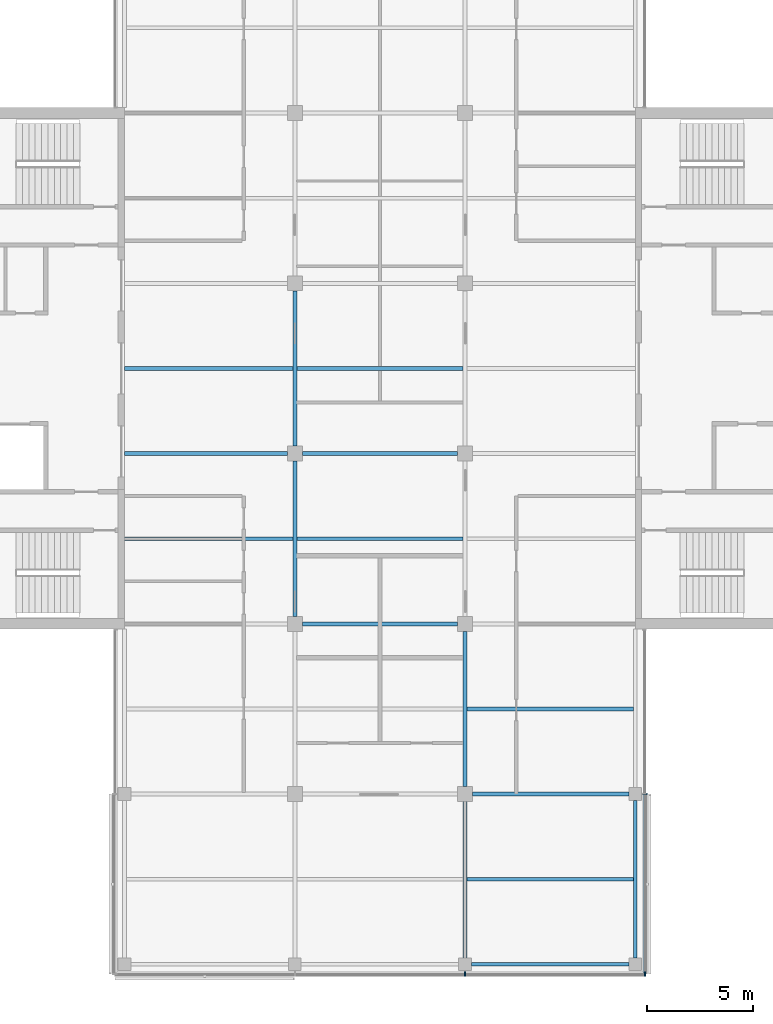
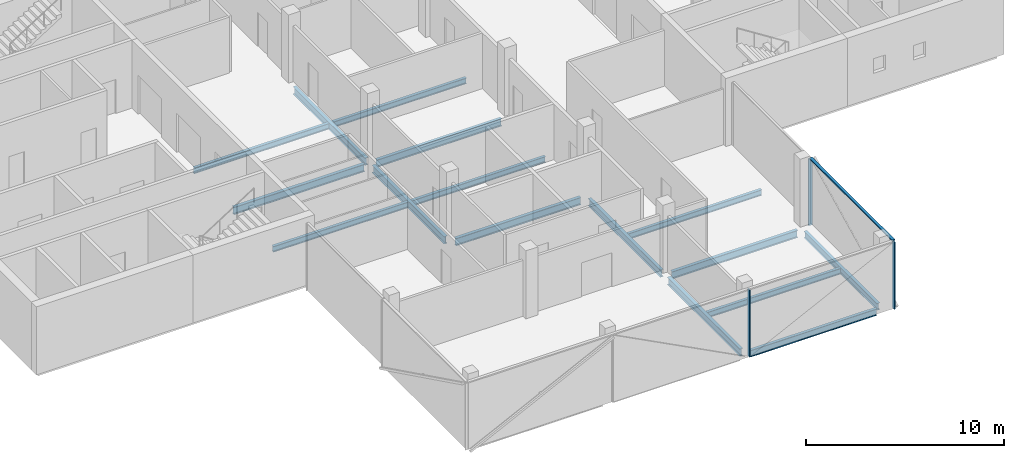
# One storey, part 3 of 16: 16 beams, 4 members, 2 elements without a shape of their own.
"""IFC4 building model written with IfcOpenShell, lengths in metres."""

from ifc_helpers import new_model, si_unit, direction, frame, origin, origin_2d, place, context, subcontext, project, spatial, rectangle, i_section, extrude, material, material_profile, profile_set, type_object, element, aggregate, save


model = new_model("IFC4")

# Units and contexts
model_context = context("Model", 3, precision=1e-05, world=origin(), true_north=direction((0.0, 1.0)))
body_context = subcontext(model_context, "Body", "Model", "MODEL_VIEW")
ifc_project = project(units=[si_unit("LENGTHUNIT", "METRE"), si_unit("AREAUNIT", "SQUARE_METRE"), si_unit("VOLUMEUNIT", "CUBIC_METRE"), si_unit("PLANEANGLEUNIT", "RADIAN"), si_unit("MASSUNIT", "GRAM", prefix="KILO")], contexts=[model_context])

# Site, building, storey
site_placement = place(None, origin())
site = spatial("IfcSite", under=ifc_project, at=site_placement, CompositionType="ELEMENT")
building_placement = place(site_placement, origin())
building = spatial("IfcBuilding", under=site, at=building_placement, Name="Crosswind Convention Tower", CompositionType="ELEMENT")
storey_placement = place(building_placement, frame((0.0, 0.0, 274.5)))
storey = spatial("IfcBuildingStorey", under=building, at=storey_placement, Name="L59", CompositionType="ELEMENT", Elevation=274.5)

# Beams
ifc_material_1 = material(Name="Steel S355", Category="steel")
ifc_material_profile_1 = material_profile(ifc_material_1, i_section(OverallWidth=0.177734375, OverallDepth=0.406494140625, WebThickness=0.0078125, FlangeThickness=0.0126953125, FilletRadius=0.01025390625, at=origin_2d()), Name="UB 406x178x60")
ifc_profile_set_1 = profile_set([ifc_material_profile_1], Name="Steel S355")
beam_type_1 = type_object("IfcBeamType", Name="Edge beam UB 406x178x60", PredefinedType="SPANDREL", material=ifc_profile_set_1)
for number, where, z_axis, x_axis, name in (
    (1, (129.300048828125, 72.0, -0.503173828125), (1.0, 0.0, 0.0), (0.0, 1.0, 0.0), "B15 L59 edge beam 9"),
    (2, (137.0, 72.300048828125, -0.503173828125), (0.0, 1.0, 0.0), (-1.0, 0.0, 0.0), "B15 L59 edge beam 11"),
):
    element("IfcBeam", number, at=place(storey_placement, frame(where, z_axis=z_axis, x_axis=x_axis)), inside=storey, type_object=beam_type_1, Name=name, PredefinedType="SPANDREL", context=body_context, shape_type="SweptSolid", body=[
        extrude(i_section(OverallWidth=0.177734375, OverallDepth=0.406494140625, WebThickness=0.0078125, FlangeThickness=0.0126953125, FilletRadius=0.01025390625, at=origin_2d()), origin(), (0.0, 0.0, 1.0), 7.39990234375),
    ])
ifc_material_profile_2 = material_profile(ifc_material_1, i_section(OverallWidth=0.18994140625, OverallDepth=0.45361328125, WebThickness=0.008544921875, FlangeThickness=0.0126953125, FilletRadius=0.01025390625, at=origin_2d()), Name="UB 457x191x67")
ifc_profile_set_2 = profile_set([ifc_material_profile_2], Name="Steel S355")
beam_type_2 = type_object("IfcBeamType", Name="Girder UB 457x191x67", PredefinedType="BEAM", material=ifc_profile_set_2)
for number, where, z_axis, x_axis, name in (
    (3, (121.0, 88.35009765625, -0.52685546875), (0.0, 1.0, 0.0), (-1.0, 0.0, 0.0), "B1 L59 girder 5"),
    (4, (121.0, 96.35009765625, -0.52685546875), (0.0, 1.0, 0.0), (-1.0, 0.0, 0.0), "B1 L59 girder 6"),
    (5, (121.35009765625, 88.0, -0.52685546875), (1.0, 0.0, 0.0), (0.0, 1.0, 0.0), "B1 L59 girder 11"),
    (6, (121.35009765625, 96.0, -0.52685546875), (1.0, 0.0, 0.0), (0.0, 1.0, 0.0), "B1 L59 girder 12"),
):
    element("IfcBeam", number, at=place(storey_placement, frame(where, z_axis=z_axis, x_axis=x_axis)), inside=storey, type_object=beam_type_2, Name=name, PredefinedType="BEAM", context=body_context, shape_type="SweptSolid", body=[
        extrude(i_section(OverallWidth=0.18994140625, OverallDepth=0.45361328125, WebThickness=0.008544921875, FlangeThickness=0.0126953125, FilletRadius=0.01025390625, at=origin_2d()), origin(), (0.0, 0.0, 1.0), 7.2998046875),
    ])
beam_1_placement = place(storey_placement, frame((129.0, 72.300048828125, -0.52685546875), z_axis=(0.0, 1.0, 0.0), x_axis=(-1.0, 0.0, 0.0)))
element("IfcBeam", 7, at=beam_1_placement, inside=storey, type_object=beam_type_2, Name="B1 L59 girder 16", PredefinedType="BEAM", context=body_context, shape_type="SweptSolid", body=[
    extrude(i_section(OverallWidth=0.18994140625, OverallDepth=0.45361328125, WebThickness=0.008544921875, FlangeThickness=0.0126953125, FilletRadius=0.01025390625, at=origin_2d()), origin(), (0.0, 0.0, 1.0), 7.349853515625),
])
beam_2_placement = place(storey_placement, frame((129.0, 80.35009765625, -0.52685546875), z_axis=(0.0, 1.0, 0.0), x_axis=(-1.0, 0.0, 0.0)))
element("IfcBeam", 8, at=beam_2_placement, inside=storey, type_object=beam_type_2, Name="B1 L59 girder 17", PredefinedType="BEAM", context=body_context, shape_type="SweptSolid", body=[
    extrude(i_section(OverallWidth=0.18994140625, OverallDepth=0.45361328125, WebThickness=0.008544921875, FlangeThickness=0.0126953125, FilletRadius=0.01025390625, at=origin_2d()), origin(), (0.0, 0.0, 1.0), 7.2998046875),
])
beam_3_placement = place(storey_placement, frame((129.35009765625, 80.0, -0.52685546875), z_axis=(1.0, 0.0, 0.0), x_axis=(0.0, 1.0, 0.0)))
element("IfcBeam", 9, at=beam_3_placement, inside=storey, type_object=beam_type_2, Name="B1 L59 girder 23", PredefinedType="BEAM", context=body_context, shape_type="SweptSolid", body=[
    extrude(i_section(OverallWidth=0.18994140625, OverallDepth=0.45361328125, WebThickness=0.008544921875, FlangeThickness=0.0126953125, FilletRadius=0.01025390625, at=origin_2d()), origin(), (0.0, 0.0, 1.0), 7.349853515625),
])
ifc_material_profile_3 = material_profile(ifc_material_1, i_section(OverallWidth=0.1904296875, OverallDepth=0.457275390625, WebThickness=0.009033203125, FlangeThickness=0.014404296875, FilletRadius=0.01025390625, at=origin_2d()), Name="UB 457x191x75")
ifc_profile_set_3 = profile_set([ifc_material_profile_3], Name="Steel S355")
beam_type_3 = type_object("IfcBeamType", Name="Girder at core wall UB 457x191x75", PredefinedType="BEAM", material=ifc_profile_set_3)
beam_4_placement = place(storey_placement, frame((113.0, 96.0, -0.528564453125), z_axis=(1.0, 0.0, 0.0), x_axis=(0.0, 1.0, 0.0)))
element("IfcBeam", 10, at=beam_4_placement, inside=storey, type_object=beam_type_3, Name="B22 L59 girder at core wall 2", PredefinedType="BEAM", context=body_context, shape_type="SweptSolid", body=[
    extrude(i_section(OverallWidth=0.1904296875, OverallDepth=0.457275390625, WebThickness=0.009033203125, FlangeThickness=0.014404296875, FilletRadius=0.01025390625, at=origin_2d()), origin(), (0.0, 0.0, 1.0), 7.64990234375),
])

# Curtain wall, members
ifc_material_2 = material(Name="Aluminium unitised curtain wall", Category="aluminium")
curtain_wall_type = type_object("IfcCurtainWallType", Name="OFFICE UNITISED WALL 220", PredefinedType="USERDEFINED", material=ifc_material_2)
curtain_wall_1_placement = place(storey_placement, origin())
curtain_wall_1 = element("IfcCurtainWall", 11, at=curtain_wall_1_placement, inside=storey, type_object=curtain_wall_type, Name="CW3 L59 S-TIP 1", ObjectType="UNITISED", PredefinedType="USERDEFINED")
ifc_material_3 = material(Name="Aluminium mullion", Category="aluminium")
ifc_material_profile_4 = material_profile(ifc_material_3, rectangle(XDim=0.219970703125, YDim=0.070068359375, at=origin_2d()), Name="AL 220X70")
ifc_profile_set_4 = profile_set([ifc_material_profile_4], Name="Aluminium mullion")
member_type_1 = type_object("IfcMemberType", Name="MULLION 70X220", PredefinedType="MULLION", material=ifc_profile_set_4)
member_1_placement = place(storey_placement, frame((129.0, 71.5400390625, -0.300048828125), z_axis=(0.0, 0.0, 1.0), x_axis=(0.0, -1.0, 0.0)))
member_1 = element("IfcMember", 12, at=member_1_placement, type_object=member_type_1, Name="CW3 mullion 3", PredefinedType="MULLION", context=body_context, shape_type="SweptSolid", body=[
    extrude(rectangle(XDim=0.219970703125, YDim=0.070068359375, at=origin_2d()), origin(), (0.0, 0.0, 1.0), 4.130126953125),
])
member_2_placement = place(storey_placement, frame((137.4599609375, 71.5400390625, -0.300048828125), z_axis=(0.0, 0.0, 1.0), x_axis=(0.0, -1.0, 0.0)))
member_2 = element("IfcMember", 13, at=member_2_placement, type_object=member_type_1, Name="CW3 mullion 4", PredefinedType="MULLION", context=body_context, shape_type="SweptSolid", body=[
    extrude(rectangle(XDim=0.219970703125, YDim=0.070068359375, at=origin_2d()), origin(), (0.0, 0.0, 1.0), 4.130126953125),
])
aggregate(curtain_wall_1, [member_1, member_2])

# Curtain wall, member
curtain_wall_2_placement = place(storey_placement, origin())
curtain_wall_2 = element("IfcCurtainWall", 14, at=curtain_wall_2_placement, inside=storey, type_object=curtain_wall_type, Name="CW3 L59 S-E 1", ObjectType="UNITISED", PredefinedType="USERDEFINED")
member_3_placement = place(storey_placement, frame((137.4599609375, 80.0, -0.300048828125), z_axis=(0.0, 0.0, 1.0), x_axis=(1.0, 0.0, 0.0)))
member_3 = element("IfcMember", 15, at=member_3_placement, type_object=member_type_1, Name="CW3 mullion 2", PredefinedType="MULLION", context=body_context, shape_type="SweptSolid", body=[
    extrude(rectangle(XDim=0.219970703125, YDim=0.070068359375, at=origin_2d()), origin(), (0.0, 0.0, 1.0), 4.130126953125),
])

# Beams
ifc_material_profile_5 = material_profile(ifc_material_1, i_section(OverallWidth=0.17138671875, OverallDepth=0.355712890625, WebThickness=0.00732421875, FlangeThickness=0.011474609375, FilletRadius=0.01025390625, at=origin_2d()), Name="UB 356x171x51")
ifc_profile_set_5 = profile_set([ifc_material_profile_5], Name="Steel S355")
beam_type_4 = type_object("IfcBeamType", Name="Secondary beam UB 356x171x51", PredefinedType="JOIST", material=ifc_profile_set_5)
for number, where, z_axis, x_axis, name in (
    (16, (113.0, 92.0, -0.477783203125), (1.0, 0.0, 0.0), (0.0, 1.0, 0.0), "B8 L59 secondary beam 1"),
    (17, (113.0, 100.0, -0.477783203125), (1.0, 0.0, 0.0), (0.0, 1.0, 0.0), "B8 L59 secondary beam 2"),
):
    element("IfcBeam", number, at=place(storey_placement, frame(where, z_axis=z_axis, x_axis=x_axis)), inside=storey, type_object=beam_type_4, Name=name, PredefinedType="JOIST", context=body_context, shape_type="SweptSolid", body=[
        extrude(i_section(OverallWidth=0.17138671875, OverallDepth=0.355712890625, WebThickness=0.00732421875, FlangeThickness=0.011474609375, FilletRadius=0.01025390625, at=origin_2d()), origin(), (0.0, 0.0, 1.0), 7.905029296875),
    ])
for number, where, z_axis, x_axis, name in (
    (18, (121.094970703125, 92.0, -0.477783203125), (1.0, 0.0, 0.0), (0.0, 1.0, 0.0), "B8 L59 secondary beam 10"),
    (19, (121.094970703125, 100.0, -0.477783203125), (1.0, 0.0, 0.0), (0.0, 1.0, 0.0), "B8 L59 secondary beam 11"),
):
    element("IfcBeam", number, at=place(storey_placement, frame(where, z_axis=z_axis, x_axis=x_axis)), inside=storey, type_object=beam_type_4, Name=name, PredefinedType="JOIST", context=body_context, shape_type="SweptSolid", body=[
        extrude(i_section(OverallWidth=0.17138671875, OverallDepth=0.355712890625, WebThickness=0.00732421875, FlangeThickness=0.011474609375, FilletRadius=0.01025390625, at=origin_2d()), origin(), (0.0, 0.0, 1.0), 7.81005859375),
    ])
for number, where, z_axis, x_axis, name in (
    (20, (129.094970703125, 76.0, -0.477783203125), (1.0, 0.0, 0.0), (0.0, 1.0, 0.0), "B8 L59 secondary beam 15"),
    (21, (129.094970703125, 84.0, -0.477783203125), (1.0, 0.0, 0.0), (0.0, 1.0, 0.0), "B8 L59 secondary beam 16"),
):
    element("IfcBeam", number, at=place(storey_placement, frame(where, z_axis=z_axis, x_axis=x_axis)), inside=storey, type_object=beam_type_4, Name=name, PredefinedType="JOIST", context=body_context, shape_type="SweptSolid", body=[
        extrude(i_section(OverallWidth=0.17138671875, OverallDepth=0.355712890625, WebThickness=0.00732421875, FlangeThickness=0.011474609375, FilletRadius=0.01025390625, at=origin_2d()), origin(), (0.0, 0.0, 1.0), 7.816162109375),
    ])

# Member
ifc_material_4 = material(Name="Aluminium transom", Category="aluminium")
ifc_material_profile_6 = material_profile(ifc_material_4, rectangle(XDim=0.159912109375, YDim=0.070068359375, at=origin_2d()), Name="AL 160X70")
ifc_profile_set_6 = profile_set([ifc_material_profile_6], Name="Aluminium transom")
member_type_2 = type_object("IfcMemberType", Name="TRANSOM 70X160", PredefinedType="USERDEFINED", material=ifc_profile_set_6)
member_4_placement = place(storey_placement, frame((137.4599609375, 71.574951171875, 3.864990234375), z_axis=(0.0, 1.0, 0.0), x_axis=(-1.0, 0.0, 0.0)))
member_4 = element("IfcMember", 22, at=member_4_placement, type_object=member_type_2, Name="CW3 transom", ObjectType="TRANSOM", PredefinedType="USERDEFINED", context=body_context, shape_type="SweptSolid", body=[
    extrude(rectangle(XDim=0.159912109375, YDim=0.070068359375, at=origin_2d()), origin(), (0.0, 0.0, 1.0), 8.39013671875),
])

aggregate(curtain_wall_2, [member_3, member_4])

save(model, "model.ifc")
